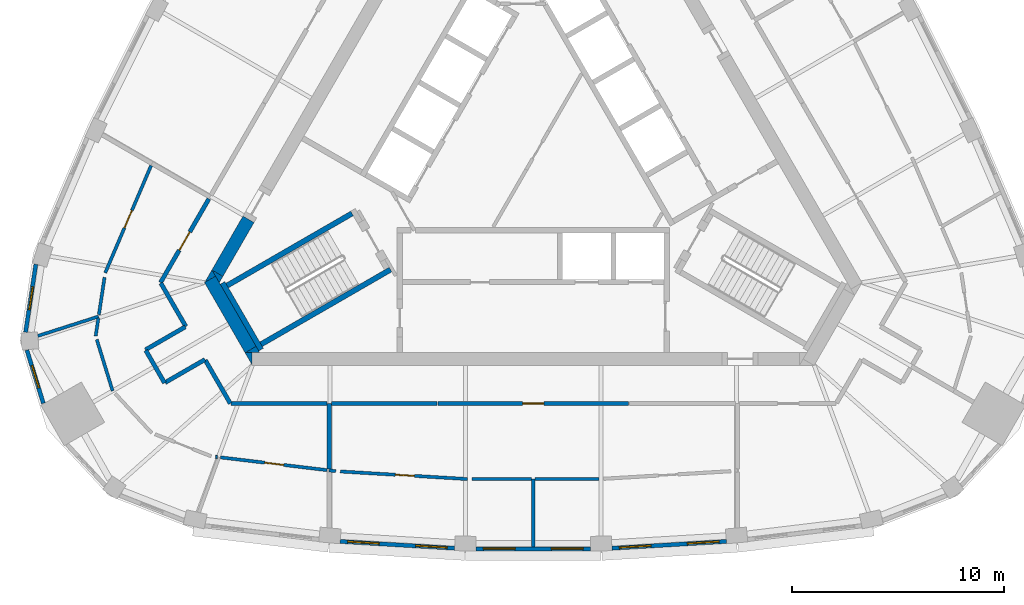
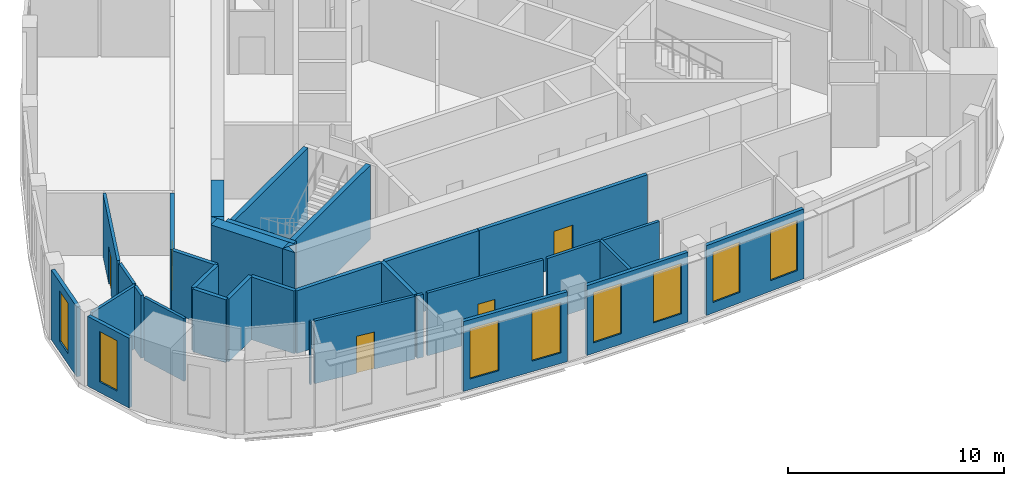
# One storey, part 3 of 10: 36 walls, 8 windows, 5 doors, 13 openings.
"""IFC4 building model written with IfcOpenShell, lengths in metres."""

import ifcopenshell
import ifcopenshell.guid

model = None  # the IFC model being written
_history = None  # IfcOwnerHistory: only IFC2X3 demands one
_inside = {}  # id of a spatial element -> (the spatial element, [elements in it])
_under = {}  # id of a project, library or spatial element -> (it, [spatial elements below it])
_declared = {}  # id of a project -> (the project, [libraries it declares])
_typed = {}  # id of a type object -> (the type object, [elements of that type])
_made_of = {}  # id of a material, layer set ... -> (it, [elements and type objects made of it])


def new_model(schema):
    """Start an empty IFC model of exactly this schema.

    Asked for "IFC4X3", IfcOpenShell would pick the latest addendum, in which some entities
    have other attributes; the version numbers below select the first issue.
    IFC2X3 requires an IfcOwnerHistory on every rooted entity: one is made here for all.
    """
    global model, _history
    if schema == "IFC4X3":
        model = ifcopenshell.file(schema_version=(4, 3, 0, 0))
    else:
        model = ifcopenshell.file(schema=schema)
    _inside.clear()
    _under.clear()
    _declared.clear()
    _typed.clear()
    _made_of.clear()
    _history = None
    if model.schema == "IFC2X3":
        org = make("IfcOrganization", Name="unknown")
        user = make(
            "IfcPersonAndOrganization",
            ThePerson=make("IfcPerson", FamilyName="unknown"),
            TheOrganization=org,
        )
        app = make(
            "IfcApplication",
            ApplicationDeveloper=org,
            Version="unknown",
            ApplicationFullName="unknown",
            ApplicationIdentifier="unknown",
        )
        _history = make(
            "IfcOwnerHistory",
            OwningUser=user,
            OwningApplication=app,
            ChangeAction="ADDED",
            CreationDate=0,
        )
    return model


def make(cls, **values):
    """One entity of the class cls with the attributes given. An attribute that is None is left unset."""
    return model.create_entity(
        cls, **{name: value for name, value in values.items() if value is not None}
    )


def rooted(cls, **values):
    """An entity with a GlobalId (a new one), such as an element, a storey or a relation."""
    return make(cls, GlobalId=ifcopenshell.guid.new(), OwnerHistory=_history, **values)


def si_unit(unit_type, name, prefix=None):
    """IfcSIUnit, for example si_unit("LENGTHUNIT", "METRE", prefix="MILLI")."""
    return make("IfcSIUnit", UnitType=unit_type, Prefix=prefix, Name=name)


def assignment(units):
    """IfcUnitAssignment: the units of a project."""
    return None if units is None else make("IfcUnitAssignment", Units=units)


def point(xyz):
    """IfcCartesianPoint."""
    return None if xyz is None else make("IfcCartesianPoint", Coordinates=xyz)


def direction(xyz):
    """IfcDirection."""
    return None if xyz is None else make("IfcDirection", DirectionRatios=xyz)


def frame(location, z_axis=None, x_axis=None):
    """IfcAxis2Placement3D, a coordinate frame: its origin and axes. An axis left out is left unset."""
    return make(
        "IfcAxis2Placement3D",
        Location=point(location),
        Axis=direction(z_axis),
        RefDirection=direction(x_axis),
    )


def frame_2d(location, x_axis=None):
    """IfcAxis2Placement2D, a coordinate frame in the plane: its origin and x axis."""
    return make(
        "IfcAxis2Placement2D", Location=point(location), RefDirection=direction(x_axis)
    )


def origin():
    """The frame at (0, 0, 0) with its axes left unset."""
    return frame((0.0, 0.0, 0.0))


def place(relative_to, where):
    """IfcLocalPlacement: puts the frame where relative to a parent placement (None: the world)."""
    return make(
        "IfcLocalPlacement", PlacementRelTo=relative_to, RelativePlacement=where
    )


def context(
    kind, dimensions, precision=None, world=None, true_north=None, identifier=None
):
    """IfcGeometricRepresentationContext, for example the 3D "Model" context."""
    return make(
        "IfcGeometricRepresentationContext",
        ContextIdentifier=identifier,
        ContextType=kind,
        CoordinateSpaceDimension=dimensions,
        Precision=precision,
        WorldCoordinateSystem=world,
        TrueNorth=true_north,
    )


def subcontext(parent, identifier, kind, view, scale=None):
    """IfcGeometricRepresentationSubContext, for example "Body" below "Model"."""
    return make(
        "IfcGeometricRepresentationSubContext",
        ContextIdentifier=identifier,
        ContextType=kind,
        ParentContext=parent,
        TargetScale=scale,
        TargetView=view,
    )


def project(units=None, contexts=None):
    """IfcProject with its units and contexts."""
    return rooted(
        "IfcProject",
        Name="project",
        RepresentationContexts=contexts,
        UnitsInContext=assignment(units),
    )


def spatial(cls, under=None, at=None, **own):
    """A site, building, storey or space (cls), placed at a placement, below another one or the project."""
    s = rooted(cls, ObjectPlacement=at, **own)
    if under is not None:
        _under.setdefault(under.id(), (under, []))[1].append(s)
    return s


def polyline(points):
    """IfcPolyline through the points."""
    return make("IfcPolyline", Points=[point(p) for p in points])


def profile(cls, at=None, kind="AREA", **sizes):
    """A parametric profile (cls). Its sizes go by their IFC names, for example OverallWidth=200.0."""
    return make(cls, ProfileType=kind, Position=at, **sizes)


def rectangle(**sizes):
    """IfcRectangleProfileDef."""
    return profile("IfcRectangleProfileDef", **sizes)


def outline(outer, holes=None, kind="AREA"):
    """IfcArbitraryClosedProfileDef: a profile drawn as a closed curve; with holes, ...WithVoids."""
    if holes is None:
        return make("IfcArbitraryClosedProfileDef", ProfileType=kind, OuterCurve=outer)
    return make(
        "IfcArbitraryProfileDefWithVoids",
        ProfileType=kind,
        OuterCurve=outer,
        InnerCurves=holes,
    )


def extrude(swept, where, along, depth):
    """IfcExtrudedAreaSolid: the profile swept, set in the frame where, extruded along a direction by depth."""
    return make(
        "IfcExtrudedAreaSolid",
        SweptArea=swept,
        Position=where,
        ExtrudedDirection=direction(along),
        Depth=depth,
    )


def shape(context_of_items, identifier, shape_type, items):
    """IfcShapeRepresentation: the items that make up one representation, for example the "Body"."""
    return make(
        "IfcShapeRepresentation",
        ContextOfItems=context_of_items,
        RepresentationIdentifier=identifier,
        RepresentationType=shape_type,
        Items=items,
    )


def material(Name=None, Category=None):
    """IfcMaterial."""
    return make("IfcMaterial", Name=Name, Category=Category)


def layer(
    of_material, thickness, ventilated=None, Name=None, Category=None, Priority=None
):
    """IfcMaterialLayer: one layer of a wall or slab, of a material (None: an air gap)."""
    return make(
        "IfcMaterialLayer",
        Material=of_material,
        LayerThickness=thickness,
        IsVentilated=ventilated,
        Name=Name,
        Category=Category,
        Priority=Priority,
    )


def layer_set(layers, Name=None):
    """IfcMaterialLayerSet."""
    return make("IfcMaterialLayerSet", MaterialLayers=layers, LayerSetName=Name)


def made_of(thing, what):
    """Note that an element or type object is made of a material, layer set ...; save() writes the relation."""
    if what is not None:
        _made_of.setdefault(what.id(), (what, []))[1].append(thing)
    return thing


def type_object(cls, material=None, **own):
    """A type object (cls), such as IfcWallType, which elements share."""
    return made_of(rooted(cls, **own), material)


def element(
    cls,
    number,
    at=None,
    inside=None,
    cuts=None,
    type_object=None,
    material=None,
    context=None,
    identifier="Body",
    shape_type=None,
    held_by="IfcProductDefinitionShape",
    body=None,
    shapes=None,
    **own,
):
    """One element of the class cls, such as IfcWall. Its Tag is "e" and its number.

    at: its placement. inside: the storey or other place that contains it. cuts: it is an
    opening in that element (IfcRelVoidsElement). A single representation is given by context,
    identifier, shape_type and body (its items); several are given by shapes. held_by: the class
    of the entity that holds the representations. save() writes the other relations.
    """
    e = rooted(cls, Tag="e%d" % number, ObjectPlacement=at, **own)
    if body is not None:
        shapes = [shape(context, identifier, shape_type, body)]
    if shapes is not None:
        e.Representation = make(held_by, Representations=shapes)
    if inside is not None:
        _inside.setdefault(inside.id(), (inside, []))[1].append(e)
    if cuts is not None:
        rooted(
            "IfcRelVoidsElement", RelatingBuildingElement=cuts, RelatedOpeningElement=e
        )
    if type_object is not None:
        _typed.setdefault(type_object.id(), (type_object, []))[1].append(e)
    return made_of(e, material)


def fill(opening, filler):
    """IfcRelFillsElement: the door or window that sits in an opening."""
    return rooted(
        "IfcRelFillsElement",
        RelatingOpeningElement=opening,
        RelatedBuildingElement=filler,
    )


def aggregate(whole, parts):
    """IfcRelAggregates: a whole, such as a stair, and the parts it consists of."""
    return rooted("IfcRelAggregates", RelatingObject=whole, RelatedObjects=parts)


def save(model, path):
    """Write the relations noted so far, then the file.

    IfcRelAggregates (storeys below a building ...), IfcRelContainedInSpatialStructure (elements
    in a storey), IfcRelDefinesByType, IfcRelAssociatesMaterial and IfcRelDeclares: one each for
    every whole, place, type object, material and project.
    """
    for whole, parts in _under.values():
        aggregate(whole, parts)
    for where, things in _inside.values():
        rooted(
            "IfcRelContainedInSpatialStructure",
            RelatedElements=things,
            RelatingStructure=where,
        )
    for kind, things in _typed.values():
        rooted("IfcRelDefinesByType", RelatedObjects=things, RelatingType=kind)
    for what, things in _made_of.values():
        rooted("IfcRelAssociatesMaterial", RelatedObjects=things, RelatingMaterial=what)
    for by, libraries in _declared.values():
        rooted("IfcRelDeclares", RelatingContext=by, RelatedDefinitions=libraries)
    model.write(path)


model = new_model("IFC4")

# Units and contexts
model_context = context("Model", 3, precision=1e-05, world=origin(), true_north=direction((0.0, 1.0)))
body_context = subcontext(model_context, "Body", "Model", "MODEL_VIEW")
ifc_project = project(units=[si_unit("LENGTHUNIT", "METRE"), si_unit("AREAUNIT", "SQUARE_METRE"), si_unit("VOLUMEUNIT", "CUBIC_METRE"), si_unit("PLANEANGLEUNIT", "RADIAN"), si_unit("MASSUNIT", "GRAM", prefix="KILO")], contexts=[model_context])

# Site, building, storey
site_placement = place(None, origin())
site = spatial("IfcSite", under=ifc_project, at=site_placement, CompositionType="ELEMENT")
building_placement = place(site_placement, origin())
building = spatial("IfcBuilding", under=site, at=building_placement, Name="Mestral Congress Tower", CompositionType="ELEMENT")
storey_placement = place(building_placement, frame((0.0, 0.0, 313.199951171875)))
storey = spatial("IfcBuildingStorey", under=building, at=storey_placement, Name="L73", CompositionType="ELEMENT", Elevation=313.199951171875)

# Walls
ifc_material_1 = material(Name="Concrete C60/75", Category="concrete")
ifc_layer_1 = layer(ifc_material_1, 0.60009765625)
ifc_layer_set_1 = layer_set([ifc_layer_1], Name="Concrete C60/75")
wall_type_1 = type_object("IfcWallType", Name="Core wall RC 600", PredefinedType="SOLIDWALL", material=ifc_layer_set_1)
placement = place(storey_placement, origin())
element("IfcWall", 1, at=placement, inside=storey, type_object=wall_type_1, Name="L73 core wall", PredefinedType="SOLIDWALL", context=body_context, shape_type="SweptSolid", body=[
    extrude(outline(polyline([(-13.5966796875, -9.64990234375), (-13.258544921875, -9.64990234375), (-13.258544921875, -10.235595703125), (-13.5966796875, -9.64990234375)])), origin(), (0.0, 0.0, 1.0), 4.199951171875),
])
wall_2_placement = place(storey_placement, frame((-13.33349609375, -9.505615234375, 0.0), z_axis=(0.0, 0.0, 1.0), x_axis=(-0.500019073792, 0.866014391245, 0.0)))
element("IfcWall", 2, at=wall_2_placement, inside=storey, type_object=wall_type_1, Name="L73 core wall", PredefinedType="SOLIDWALL", context=body_context, shape_type="SweptSolid", body=[
    extrude(rectangle(XDim=3.823486328125, YDim=0.60009765625, at=frame_2d((1.91162109375, 0.0))), origin(), (0.0, 0.0, 1.0), 4.199951171875),
])
element("IfcWall", 3, at=placement, inside=storey, type_object=wall_type_1, Name="L73 core wall", PredefinedType="SOLIDWALL", context=body_context, shape_type="SweptSolid", body=[
    extrude(outline(polyline([(-14.986572265625, -6.042724609375), (-15.493408203125, -6.33544921875), (-15.155517578125, -5.75), (-14.986572265625, -6.042724609375)])), origin(), (0.0, 0.0, 1.0), 4.199951171875),
])
element("IfcWall", 4, at=placement, inside=storey, type_object=wall_type_1, Name="L73 core wall", PredefinedType="SOLIDWALL", context=body_context, shape_type="SweptSolid", body=[
    extrude(outline(polyline([(-12.90380859375, -9.64990234375), (-13.579833984375, -9.64990234375), (-13.07275390625, -9.357421875), (-12.90380859375, -9.64990234375)])), origin(), (0.0, 0.0, 1.0), 4.199951171875),
])
wall_5_placement = place(storey_placement, frame((-13.431640625, -3.3642578125, 0.0), z_axis=(0.0, 0.0, 1.0), x_axis=(-0.499960127962, -0.866048422692, 0.0)))
element("IfcWall", 5, at=wall_5_placement, inside=storey, type_object=wall_type_1, Name="L73 core wall", PredefinedType="SOLIDWALL", context=body_context, shape_type="SweptSolid", body=[
    extrude(rectangle(XDim=2.934326171875, YDim=0.60009765625, at=frame_2d((1.46728515625, 0.0))), origin(), (0.0, 0.0, 1.0), 4.199951171875),
])
element("IfcWall", 6, at=placement, inside=storey, type_object=wall_type_1, Name="L73 core wall", PredefinedType="SOLIDWALL", context=body_context, shape_type="SweptSolid", body=[
    extrude(outline(polyline([(-14.80908203125, -6.35009765625), (-15.147216796875, -5.764404296875), (-14.639892578125, -6.057373046875), (-14.80908203125, -6.35009765625)])), origin(), (0.0, 0.0, 1.0), 4.199951171875),
])

# Wall, openings, windows
ifc_material_2 = material(Name="Precast concrete C40/50 with limestone facing", Category="masonry")
ifc_layer_2 = layer(ifc_material_2, 0.18994140625)
ifc_layer_set_2 = layer_set([ifc_layer_2], Name="Precast concrete C40/50 with limestone facing")
wall_type_2 = type_object("IfcWallType", Name="Facade stone wall 190", PredefinedType="SOLIDWALL", material=ifc_layer_set_2)
wall_7_placement = place(storey_placement, frame((-9.106689453125, -18.557861328125, 0.0), z_axis=(0.0, 0.0, 1.0), x_axis=(0.998221492823, -0.059614186786, 0.0)))
wall_7 = element("IfcWall", 7, at=wall_7_placement, inside=storey, type_object=wall_type_2, Name="Facade wall F0-01", PredefinedType="SOLIDWALL", context=body_context, shape_type="SweptSolid", body=[
    extrude(rectangle(XDim=5.40576171875, YDim=0.18994140625, at=frame_2d((2.702880859375, 0.0))), origin(), (0.0, 0.0, 1.0), 3.949951171875),
])
opening_1_placement = place(wall_7_placement, frame((0.346435546875, 0.0, 0.60009765625)))
opening_1 = element("IfcOpeningElement", 8, at=opening_1_placement, cuts=wall_7, Name="Opening W6", PredefinedType="OPENING", context=body_context, shape_type="SweptSolid", body=[
    extrude(rectangle(XDim=1.5, YDim=2.85009765625, at=frame_2d((0.75, 1.425048828125))), frame((0.0, 0.10498046875, 0.0), z_axis=(0.0, -1.0, 0.0), x_axis=(1.0, 0.0, 0.0)), (0.0, 0.0, 1.0), 0.2099609375),
])
opening_2_placement = place(wall_7_placement, frame((3.559326171875, 0.0, 0.60009765625)))
opening_2 = element("IfcOpeningElement", 9, at=opening_2_placement, cuts=wall_7, Name="Opening W6", PredefinedType="OPENING", context=body_context, shape_type="SweptSolid", body=[
    extrude(rectangle(XDim=1.5, YDim=2.85009765625, at=frame_2d((0.75, 1.425048828125))), frame((0.0, 0.10498046875, 0.0), z_axis=(0.0, -1.0, 0.0), x_axis=(1.0, 0.0, 0.0)), (0.0, 0.0, 1.0), 0.2099609375),
])
ifc_material_3 = material(Name="Clear low-emissivity double glazing", Category="glass")
window_type_1 = type_object("IfcWindowType", Name="Facade punched window 1500 x 2850 sill 600", PartitioningType="SINGLE_PANEL", PredefinedType="WINDOW", material=ifc_material_3)
window_1_placement = place(opening_1_placement, origin())
window_1 = element("IfcWindow", 10, at=window_1_placement, inside=storey, type_object=window_type_1, Name="Window F0-01a", OverallHeight=2.85009765625, OverallWidth=1.5, PartitioningType="SINGLE_PANEL", PredefinedType="WINDOW", context=body_context, shape_type="SweptSolid", body=[
    extrude(rectangle(XDim=1.5, YDim=2.85009765625, at=frame_2d((0.75, 1.425048828125))), frame((0.0, 0.044921875, 0.0), z_axis=(0.0, -1.0, 0.0), x_axis=(1.0, 0.0, 0.0)), (0.0, 0.0, 1.0), 0.06005859375),
])
fill(opening_1, window_1)
window_2_placement = place(opening_2_placement, origin())
window_2 = element("IfcWindow", 11, at=window_2_placement, inside=storey, type_object=window_type_1, Name="Window F0-01b", OverallHeight=2.85009765625, OverallWidth=1.5, PartitioningType="SINGLE_PANEL", PredefinedType="WINDOW", context=body_context, shape_type="SweptSolid", body=[
    extrude(rectangle(XDim=1.5, YDim=2.85009765625, at=frame_2d((0.75, 1.425048828125))), frame((0.0, 0.044921875, 0.0), z_axis=(0.0, -1.0, 0.0), x_axis=(1.0, 0.0, 0.0)), (0.0, 0.0, 1.0), 0.06005859375),
])
fill(opening_2, window_2)

wall_8_placement = place(storey_placement, frame((-2.702880859375, -18.91015625, 0.0), z_axis=(0.0, 0.0, 1.0), x_axis=(1.0, 0.0, 0.0)))
wall_8 = element("IfcWall", 12, at=wall_8_placement, inside=storey, type_object=wall_type_2, Name="Facade wall F0-02", PredefinedType="SOLIDWALL", context=body_context, shape_type="SweptSolid", body=[
    extrude(rectangle(XDim=5.40576171875, YDim=0.18994140625, at=frame_2d((2.702880859375, 0.0))), origin(), (0.0, 0.0, 1.0), 3.949951171875),
])
opening_3_placement = place(wall_8_placement, frame((0.346435546875, 0.0, 0.60009765625)))
opening_3 = element("IfcOpeningElement", 13, at=opening_3_placement, cuts=wall_8, Name="Opening W6", PredefinedType="OPENING", context=body_context, shape_type="SweptSolid", body=[
    extrude(rectangle(XDim=1.5, YDim=2.85009765625, at=frame_2d((0.75, 1.425048828125))), frame((0.0, 0.10498046875, 0.0), z_axis=(0.0, -1.0, 0.0), x_axis=(1.0, 0.0, 0.0)), (0.0, 0.0, 1.0), 0.2099609375),
])
opening_4_placement = place(wall_8_placement, frame((3.5595703125, 0.0, 0.60009765625)))
opening_4 = element("IfcOpeningElement", 14, at=opening_4_placement, cuts=wall_8, Name="Opening W6", PredefinedType="OPENING", context=body_context, shape_type="SweptSolid", body=[
    extrude(rectangle(XDim=1.5, YDim=2.85009765625, at=frame_2d((0.75, 1.425048828125))), frame((0.0, 0.10498046875, 0.0), z_axis=(0.0, -1.0, 0.0), x_axis=(1.0, 0.0, 0.0)), (0.0, 0.0, 1.0), 0.2099609375),
])
window_3_placement = place(opening_3_placement, origin())
window_3 = element("IfcWindow", 15, at=window_3_placement, inside=storey, type_object=window_type_1, Name="Window F0-02a", OverallHeight=2.85009765625, OverallWidth=1.5, PartitioningType="SINGLE_PANEL", PredefinedType="WINDOW", context=body_context, shape_type="SweptSolid", body=[
    extrude(rectangle(XDim=1.5, YDim=2.85009765625, at=frame_2d((0.75, 1.425048828125))), frame((0.0, 0.044921875, 0.0), z_axis=(0.0, -1.0, 0.0), x_axis=(1.0, 0.0, 0.0)), (0.0, 0.0, 1.0), 0.06005859375),
])
fill(opening_3, window_3)
window_4_placement = place(opening_4_placement, origin())
window_4 = element("IfcWindow", 16, at=window_4_placement, inside=storey, type_object=window_type_1, Name="Window F0-02b", OverallHeight=2.85009765625, OverallWidth=1.5, PartitioningType="SINGLE_PANEL", PredefinedType="WINDOW", context=body_context, shape_type="SweptSolid", body=[
    extrude(rectangle(XDim=1.5, YDim=2.85009765625, at=frame_2d((0.75, 1.425048828125))), frame((0.0, 0.044921875, 0.0), z_axis=(0.0, -1.0, 0.0), x_axis=(1.0, 0.0, 0.0)), (0.0, 0.0, 1.0), 0.06005859375),
])
fill(opening_4, window_4)

wall_9_placement = place(storey_placement, frame((3.71044921875, -18.880126953125, 0.0), z_axis=(0.0, 0.0, 1.0), x_axis=(0.998221492823, 0.059614186786, 0.0)))
wall_9 = element("IfcWall", 17, at=wall_9_placement, inside=storey, type_object=wall_type_2, Name="Facade wall F0-03", PredefinedType="SOLIDWALL", context=body_context, shape_type="SweptSolid", body=[
    extrude(rectangle(XDim=5.40576171875, YDim=0.18994140625, at=frame_2d((2.702880859375, 0.0))), origin(), (0.0, 0.0, 1.0), 3.949951171875),
])
opening_5_placement = place(wall_9_placement, frame((0.346435546875, 0.0, 0.60009765625)))
opening_5 = element("IfcOpeningElement", 18, at=opening_5_placement, cuts=wall_9, Name="Opening W6", PredefinedType="OPENING", context=body_context, shape_type="SweptSolid", body=[
    extrude(rectangle(XDim=1.5, YDim=2.85009765625, at=frame_2d((0.75, 1.425048828125))), frame((0.0, 0.10498046875, 0.0), z_axis=(0.0, -1.0, 0.0), x_axis=(1.0, 0.0, 0.0)), (0.0, 0.0, 1.0), 0.2099609375),
])
opening_6_placement = place(wall_9_placement, frame((3.559326171875, 0.0, 0.60009765625)))
opening_6 = element("IfcOpeningElement", 19, at=opening_6_placement, cuts=wall_9, Name="Opening W6", PredefinedType="OPENING", context=body_context, shape_type="SweptSolid", body=[
    extrude(rectangle(XDim=1.5, YDim=2.85009765625, at=frame_2d((0.75, 1.425048828125))), frame((0.0, 0.10498046875, 0.0), z_axis=(0.0, -1.0, 0.0), x_axis=(1.0, 0.0, 0.0)), (0.0, 0.0, 1.0), 0.2099609375),
])
window_5_placement = place(opening_5_placement, origin())
window_5 = element("IfcWindow", 20, at=window_5_placement, inside=storey, type_object=window_type_1, Name="Window F0-03a", OverallHeight=2.85009765625, OverallWidth=1.5, PartitioningType="SINGLE_PANEL", PredefinedType="WINDOW", context=body_context, shape_type="SweptSolid", body=[
    extrude(rectangle(XDim=1.5, YDim=2.85009765625, at=frame_2d((0.75, 1.425048828125))), frame((0.0, 0.044921875, 0.0), z_axis=(0.0, -1.0, 0.0), x_axis=(1.0, 0.0, 0.0)), (0.0, 0.0, 1.0), 0.06005859375),
])
fill(opening_5, window_5)
window_6_placement = place(opening_6_placement, origin())
window_6 = element("IfcWindow", 21, at=window_6_placement, inside=storey, type_object=window_type_1, Name="Window F0-03b", OverallHeight=2.85009765625, OverallWidth=1.5, PartitioningType="SINGLE_PANEL", PredefinedType="WINDOW", context=body_context, shape_type="SweptSolid", body=[
    extrude(rectangle(XDim=1.5, YDim=2.85009765625, at=frame_2d((0.75, 1.425048828125))), frame((0.0, 0.044921875, 0.0), z_axis=(0.0, -1.0, 0.0), x_axis=(1.0, 0.0, 0.0)), (0.0, 0.0, 1.0), 0.06005859375),
])
fill(opening_6, window_6)

# Wall, opening, window
wall_10_placement = place(storey_placement, frame((-23.460205078125, -5.488037109375, 0.0), z_axis=(0.0, 0.0, 1.0), x_axis=(-0.149421055602, -0.988773658702, 0.0)))
wall_10 = element("IfcWall", 22, at=wall_10_placement, inside=storey, type_object=wall_type_2, Name="Facade wall K2-0", PredefinedType="SOLIDWALL", context=body_context, shape_type="SweptSolid", body=[
    extrude(rectangle(XDim=3.23681640625, YDim=0.18994140625, at=frame_2d((1.618408203125, 0.0))), origin(), (0.0, 0.0, 1.0), 3.949951171875),
])
opening_7_placement = place(wall_10_placement, frame((1.068359375, 0.0, 0.60009765625)))
opening_7 = element("IfcOpeningElement", 23, at=opening_7_placement, cuts=wall_10, Name="Opening W7", PredefinedType="OPENING", context=body_context, shape_type="SweptSolid", body=[
    extrude(rectangle(XDim=1.10009765625, YDim=2.85009765625, at=frame_2d((0.550048828125, 1.425048828125))), frame((0.0, 0.10498046875, 0.0), z_axis=(0.0, -1.0, 0.0), x_axis=(1.0, 0.0, 0.0)), (0.0, 0.0, 1.0), 0.2099609375),
])
window_type_2 = type_object("IfcWindowType", Name="Facade punched window 1100 x 2850 sill 600", PartitioningType="SINGLE_PANEL", PredefinedType="WINDOW", material=ifc_material_3)
window_7_placement = place(opening_7_placement, origin())
window_7 = element("IfcWindow", 24, at=window_7_placement, inside=storey, type_object=window_type_2, Name="Window K2-0", OverallHeight=2.85009765625, OverallWidth=1.10009765625, PartitioningType="SINGLE_PANEL", PredefinedType="WINDOW", context=body_context, shape_type="SweptSolid", body=[
    extrude(rectangle(XDim=1.10009765625, YDim=2.85009765625, at=frame_2d((0.550048828125, 1.425048828125))), frame((0.0, 0.044921875, 0.0), z_axis=(0.0, -1.0, 0.0), x_axis=(1.0, 0.0, 0.0)), (0.0, 0.0, 1.0), 0.06005859375),
])
fill(opening_7, window_7)

wall_11_placement = place(storey_placement, frame((-23.880615234375, -9.53515625, 0.0), z_axis=(0.0, 0.0, 1.0), x_axis=(0.294706210429, -0.9555879078, 0.0)))
wall_11 = element("IfcWall", 25, at=wall_11_placement, inside=storey, type_object=wall_type_2, Name="Facade wall K2-1", PredefinedType="SOLIDWALL", context=body_context, shape_type="SweptSolid", body=[
    extrude(rectangle(XDim=2.626953125, YDim=0.18994140625, at=frame_2d((1.3134765625, 0.0))), origin(), (0.0, 0.0, 1.0), 3.949951171875),
])
opening_8_placement = place(wall_11_placement, frame((0.763427734375, 0.0, 0.60009765625)))
opening_8 = element("IfcOpeningElement", 26, at=opening_8_placement, cuts=wall_11, Name="Opening W7", PredefinedType="OPENING", context=body_context, shape_type="SweptSolid", body=[
    extrude(rectangle(XDim=1.10009765625, YDim=2.85009765625, at=frame_2d((0.550048828125, 1.425048828125))), frame((0.0, 0.10498046875, 0.0), z_axis=(0.0, -1.0, 0.0), x_axis=(1.0, 0.0, 0.0)), (0.0, 0.0, 1.0), 0.2099609375),
])
window_8_placement = place(opening_8_placement, origin())
window_8 = element("IfcWindow", 27, at=window_8_placement, inside=storey, type_object=window_type_2, Name="Window K2-1", OverallHeight=2.85009765625, OverallWidth=1.10009765625, PartitioningType="SINGLE_PANEL", PredefinedType="WINDOW", context=body_context, shape_type="SweptSolid", body=[
    extrude(rectangle(XDim=1.10009765625, YDim=2.85009765625, at=frame_2d((0.550048828125, 1.425048828125))), frame((0.0, 0.044921875, 0.0), z_axis=(0.0, -1.0, 0.0), x_axis=(1.0, 0.0, 0.0)), (0.0, 0.0, 1.0), 0.06005859375),
])
fill(opening_8, window_8)

# Walls
ifc_material_4 = material(Name="Plasterboard partition on steel studs", Category="steel")
ifc_layer_3 = layer(ifc_material_4, 0.14990234375)
ifc_layer_set_3 = layer_set([ifc_layer_3], Name="Plasterboard partition on steel studs")
wall_type_3 = type_object("IfcWallType", Name="Office partition 150", PredefinedType="PARTITIONING", material=ifc_layer_set_3)
wall_12_placement = place(storey_placement, frame((0.0, -15.615234375, 0.0), z_axis=(0.0, 0.0, 1.0), x_axis=(0.0, -1.0, 0.0)))
element("IfcWall", 28, at=wall_12_placement, inside=storey, type_object=wall_type_3, Name="Partition", PredefinedType="PARTITIONING", context=body_context, shape_type="SweptSolid", body=[
    extrude(rectangle(XDim=3.199951171875, YDim=0.14990234375, at=frame_2d((1.60009765625, 0.0))), origin(), (0.0, 0.0, 1.0), 3.550048828125),
])
wall_13_placement = place(storey_placement, frame((-9.62744140625, -15.20703125, 0.0), z_axis=(0.0, 0.0, 1.0), x_axis=(0.992909886905, -0.118869493503, 0.0)))
element("IfcWall", 29, at=wall_13_placement, inside=storey, type_object=wall_type_3, Name="Partition", PredefinedType="PARTITIONING", context=body_context, shape_type="SweptSolid", body=[
    extrude(rectangle(XDim=0.314208984375, YDim=0.14990234375, at=frame_2d((0.1572265625, 0.0))), origin(), (0.0, 0.0, 1.0), 3.550048828125),
])

# Wall, opening, door
wall_14_placement = place(storey_placement, frame((-3.10888671875, -15.615234375, 0.0), z_axis=(0.0, 0.0, 1.0), x_axis=(-0.998221243398, 0.059618363188, 0.0)))
wall_14 = element("IfcWall", 30, at=wall_14_placement, inside=storey, type_object=wall_type_3, Name="Partition", PredefinedType="PARTITIONING", context=body_context, shape_type="SweptSolid", body=[
    extrude(rectangle(XDim=6.00341796875, YDim=0.14990234375, at=frame_2d((3.001708984375, 0.0))), origin(), (0.0, 0.0, 1.0), 3.550048828125),
])
opening_9_placement = place(wall_14_placement, frame((2.50341796875, 0.0, 0.0)))
opening_9 = element("IfcOpeningElement", 31, at=opening_9_placement, cuts=wall_14, Name="Opening O14-001", PredefinedType="OPENING", context=body_context, shape_type="SweptSolid", body=[
    extrude(rectangle(XDim=0.89990234375, YDim=2.10009765625, at=frame_2d((0.449951171875, 1.050048828125))), frame((0.0, 0.0849609375, 0.0), z_axis=(0.0, -1.0, 0.0), x_axis=(1.0, 0.0, 0.0)), (0.0, 0.0, 1.0), 0.169921875),
])
ifc_material_5 = material(Name="Timber door set", Category="wood")
door_type_1 = type_object("IfcDoorType", Name="Office door 900x2100", OperationType="SINGLE_SWING_LEFT", PredefinedType="DOOR", material=ifc_material_5)
door_1_placement = place(opening_9_placement, origin())
door_1 = element("IfcDoor", 32, at=door_1_placement, inside=storey, type_object=door_type_1, Name="Door O14-001", OperationType="SINGLE_SWING_LEFT", OverallHeight=2.10009765625, OverallWidth=0.89990234375, PredefinedType="DOOR", context=body_context, shape_type="SweptSolid", body=[
    extrude(rectangle(XDim=0.89990234375, YDim=2.10009765625, at=frame_2d((0.449951171875, 1.050048828125))), frame((0.0, 0.02490234375, 0.0), z_axis=(0.0, -1.0, 0.0), x_axis=(1.0, 0.0, 0.0)), (0.0, 0.0, 1.0), 0.050048828125),
])
fill(opening_9, door_1)

# Walls
wall_15_placement = place(storey_placement, frame((-2.89453125, -15.615234375, 0.0), z_axis=(0.0, 0.0, 1.0), x_axis=(1.0, 0.0, 0.0)))
element("IfcWall", 33, at=wall_15_placement, inside=storey, type_object=wall_type_3, Name="Partition", PredefinedType="PARTITIONING", context=body_context, shape_type="SweptSolid", body=[
    extrude(rectangle(XDim=2.819580078125, YDim=0.14990234375, at=frame_2d((1.40966796875, 0.0))), origin(), (0.0, 0.0, 1.0), 3.550048828125),
])
wall_16_placement = place(storey_placement, frame((0.074951171875, -15.615234375, 0.0), z_axis=(0.0, 0.0, 1.0), x_axis=(1.0, 0.0, 0.0)))
element("IfcWall", 34, at=wall_16_placement, inside=storey, type_object=wall_type_3, Name="Partition", PredefinedType="PARTITIONING", context=body_context, shape_type="SweptSolid", body=[
    extrude(rectangle(XDim=3.033935546875, YDim=0.14990234375, at=frame_2d((1.51708984375, 0.0))), origin(), (0.0, 0.0, 1.0), 3.550048828125),
])
wall_17_placement = place(storey_placement, frame((-20.49951171875, -7.947998046875, 0.0), z_axis=(0.0, 0.0, 1.0), x_axis=(-0.952499513035, -0.304540108471, 0.0)))
element("IfcWall", 35, at=wall_17_placement, inside=storey, type_object=wall_type_3, Name="Partition", PredefinedType="PARTITIONING", context=body_context, shape_type="SweptSolid", body=[
    extrude(rectangle(XDim=3.0078125, YDim=0.14990234375, at=frame_2d((1.50390625, 0.0))), origin(), (0.0, 0.0, 1.0), 3.550048828125),
])

# Wall, opening, door
wall_18_placement = place(storey_placement, frame((-20.188232421875, -5.8876953125, 0.0), z_axis=(0.0, 0.0, 1.0), x_axis=(0.393346486154, 0.919390309841, 0.0)))
wall_18 = element("IfcWall", 36, at=wall_18_placement, inside=storey, type_object=wall_type_3, Name="Partition", PredefinedType="PARTITIONING", context=body_context, shape_type="SweptSolid", body=[
    extrude(rectangle(XDim=5.5048828125, YDim=0.14990234375, at=frame_2d((2.75244140625, 0.0))), origin(), (0.0, 0.0, 1.0), 3.550048828125),
])
opening_10_placement = place(wall_18_placement, frame((2.3046875, 0.0, 0.0)))
opening_10 = element("IfcOpeningElement", 37, at=opening_10_placement, cuts=wall_18, Name="Opening O14-015", PredefinedType="OPENING", context=body_context, shape_type="SweptSolid", body=[
    extrude(rectangle(XDim=0.89990234375, YDim=2.10009765625, at=frame_2d((0.449951171875, 1.050048828125))), frame((0.0, 0.0849609375, 0.0), z_axis=(0.0, -1.0, 0.0), x_axis=(1.0, 0.0, 0.0)), (0.0, 0.0, 1.0), 0.169921875),
])
door_2_placement = place(opening_10_placement, origin())
door_2 = element("IfcDoor", 38, at=door_2_placement, inside=storey, type_object=door_type_1, Name="Door O14-015", OperationType="SINGLE_SWING_RIGHT", OverallHeight=2.10009765625, OverallWidth=0.89990234375, PredefinedType="DOOR", context=body_context, shape_type="SweptSolid", body=[
    extrude(rectangle(XDim=0.89990234375, YDim=2.10009765625, at=frame_2d((0.449951171875, 1.050048828125))), frame((0.0, 0.02490234375, 0.0), z_axis=(0.0, -1.0, 0.0), x_axis=(1.0, 0.0, 0.0)), (0.0, 0.0, 1.0), 0.050048828125),
])
fill(opening_10, door_2)

# Walls
wall_19_placement = place(storey_placement, frame((-20.22021484375, -6.099365234375, 0.0), z_axis=(0.0, 0.0, 1.0), x_axis=(-0.14941661042, -0.988774330437, 0.0)))
element("IfcWall", 39, at=wall_19_placement, inside=storey, type_object=wall_type_3, Name="Partition", PredefinedType="PARTITIONING", context=body_context, shape_type="SweptSolid", body=[
    extrude(rectangle(XDim=1.785888671875, YDim=0.14990234375, at=frame_2d((0.89306640625, 0.0))), origin(), (0.0, 0.0, 1.0), 3.550048828125),
])
wall_20_placement = place(storey_placement, frame((-20.511962890625, -8.03076171875, 0.0), z_axis=(0.0, 0.0, 1.0), x_axis=(-0.149497595499, -0.98876208915, 0.0)))
element("IfcWall", 40, at=wall_20_placement, inside=storey, type_object=wall_type_3, Name="Partition", PredefinedType="PARTITIONING", context=body_context, shape_type="SweptSolid", body=[
    extrude(rectangle(XDim=0.845947265625, YDim=0.14990234375, at=frame_2d((0.4228515625, 0.0))), origin(), (0.0, 0.0, 1.0), 3.550048828125),
])
wall_21_placement = place(storey_placement, frame((-20.58740234375, -9.0322265625, 0.0), z_axis=(0.0, 0.0, 1.0), x_axis=(0.294593354479, -0.95562270562, 0.0)))
element("IfcWall", 41, at=wall_21_placement, inside=storey, type_object=wall_type_3, Name="Partition", PredefinedType="PARTITIONING", context=body_context, shape_type="SweptSolid", body=[
    extrude(rectangle(XDim=2.53515625, YDim=0.14990234375, at=frame_2d((1.267578125, 0.0))), origin(), (0.0, 0.0, 1.0), 3.550048828125),
])
wall_22_placement = place(storey_placement, frame((-14.97998046875, -14.565185546875, 0.0), z_axis=(0.0, 0.0, 1.0), x_axis=(0.992847073299, -0.119393002485, 0.0)))
element("IfcWall", 42, at=wall_22_placement, inside=storey, type_object=wall_type_3, Name="Partition", PredefinedType="PARTITIONING", context=body_context, shape_type="SweptSolid", body=[
    extrude(rectangle(XDim=0.07763671875, YDim=0.14990234375, at=frame_2d((0.038818359375, 0.0))), origin(), (0.0, 0.0, 1.0), 3.550048828125),
])

# Wall, opening, door
wall_23_placement = place(storey_placement, frame((-9.727294921875, -15.195068359375, 0.0), z_axis=(0.0, 0.0, 1.0), x_axis=(-0.992892587246, 0.119013907556, 0.0)))
wall_23 = element("IfcWall", 43, at=wall_23_placement, inside=storey, type_object=wall_type_3, Name="Partition", PredefinedType="PARTITIONING", context=body_context, shape_type="SweptSolid", body=[
    extrude(rectangle(XDim=5.05859375, YDim=0.14990234375, at=frame_2d((2.529296875, 0.0))), origin(), (0.0, 0.0, 1.0), 3.550048828125),
])
opening_11_placement = place(wall_23_placement, frame((2.05859375, 0.0, 0.0)))
opening_11 = element("IfcOpeningElement", 44, at=opening_11_placement, cuts=wall_23, Name="Opening O14-017", PredefinedType="OPENING", context=body_context, shape_type="SweptSolid", body=[
    extrude(rectangle(XDim=0.89990234375, YDim=2.10009765625, at=frame_2d((0.449951171875, 1.050048828125))), frame((0.0, 0.0849609375, 0.0), z_axis=(0.0, -1.0, 0.0), x_axis=(1.0, 0.0, 0.0)), (0.0, 0.0, 1.0), 0.169921875),
])
door_3_placement = place(opening_11_placement, origin())
door_3 = element("IfcDoor", 45, at=door_3_placement, inside=storey, type_object=door_type_1, Name="Door O14-017", OperationType="SINGLE_SWING_LEFT", OverallHeight=2.10009765625, OverallWidth=0.89990234375, PredefinedType="DOOR", context=body_context, shape_type="SweptSolid", body=[
    extrude(rectangle(XDim=0.89990234375, YDim=2.10009765625, at=frame_2d((0.449951171875, 1.050048828125))), frame((0.0, 0.02490234375, 0.0), z_axis=(0.0, -1.0, 0.0), x_axis=(1.0, 0.0, 0.0)), (0.0, 0.0, 1.0), 0.050048828125),
])
fill(opening_11, door_3)

# Wall
ifc_material_6 = material(Name="Dense masonry wall, plastered", Category="masonry")
ifc_layer_4 = layer(ifc_material_6, 0.199951171875)
ifc_layer_set_4 = layer_set([ifc_layer_4], Name="Dense masonry wall, plastered")
wall_type_4 = type_object("IfcWallType", Name="Office tenancy wall 200", PredefinedType="PARTITIONING", material=ifc_layer_set_4)
wall_24_placement = place(storey_placement, frame((-9.62744140625, -15.131591796875, 0.0), z_axis=(0.0, 0.0, 1.0), x_axis=(0.0, 1.0, 0.0)))
element("IfcWall", 46, at=wall_24_placement, inside=storey, type_object=wall_type_4, Name="Tenancy wall", PredefinedType="PARTITIONING", context=body_context, shape_type="SweptSolid", body=[
    extrude(rectangle(XDim=3.08154296875, YDim=0.199951171875, at=frame_2d((1.540771484375, 0.0))), origin(), (0.0, 0.0, 1.0), 3.550048828125),
])

# Wall, opening, door
wall_25_placement = place(storey_placement, frame((-4.5, -12.050048828125, 0.0), z_axis=(0.0, 0.0, 1.0), x_axis=(1.0, 0.0, 0.0)))
wall_25 = element("IfcWall", 47, at=wall_25_placement, inside=storey, type_object=wall_type_4, Name="Tenancy wall", PredefinedType="PARTITIONING", context=body_context, shape_type="SweptSolid", body=[
    extrude(rectangle(XDim=9.0, YDim=0.199951171875, at=frame_2d((4.5, 0.0))), origin(), (0.0, 0.0, 1.0), 3.550048828125),
])
opening_12_placement = place(wall_25_placement, frame((4.0, 0.0, 0.0)))
opening_12 = element("IfcOpeningElement", 48, at=opening_12_placement, cuts=wall_25, Name="Opening O14-003", PredefinedType="OPENING", context=body_context, shape_type="SweptSolid", body=[
    extrude(rectangle(XDim=1.0, YDim=2.10009765625, at=frame_2d((0.5, 1.050048828125))), frame((0.0, 0.10986328125, 0.0), z_axis=(0.0, -1.0, 0.0), x_axis=(1.0, 0.0, 0.0)), (0.0, 0.0, 1.0), 0.219970703125),
])
ifc_material_7 = material(Name="Fire-rated timber door set", Category="wood")
door_type_2 = type_object("IfcDoorType", Name="Office tenancy entrance door 1000x2100", OperationType="SINGLE_SWING_LEFT", PredefinedType="DOOR", material=ifc_material_7)
door_4_placement = place(opening_12_placement, origin())
door_4 = element("IfcDoor", 49, at=door_4_placement, inside=storey, type_object=door_type_2, Name="Door O14-003", OperationType="SINGLE_SWING_RIGHT", OverallHeight=2.10009765625, OverallWidth=1.0, PredefinedType="DOOR", context=body_context, shape_type="SweptSolid", body=[
    extrude(rectangle(XDim=1.0, YDim=2.10009765625, at=frame_2d((0.5, 1.050048828125))), frame((0.0, 0.02490234375, 0.0), z_axis=(0.0, -1.0, 0.0), x_axis=(1.0, 0.0, 0.0)), (0.0, 0.0, 1.0), 0.050048828125),
])
fill(opening_12, door_4)

# Wall
wall_26_placement = place(storey_placement, frame((-9.52734375, -12.050048828125, 0.0), z_axis=(0.0, 0.0, 1.0), x_axis=(1.0, 0.0, 0.0)))
element("IfcWall", 50, at=wall_26_placement, inside=storey, type_object=wall_type_4, Name="Tenancy wall", PredefinedType="PARTITIONING", context=body_context, shape_type="SweptSolid", body=[
    extrude(rectangle(XDim=4.997314453125, YDim=0.199951171875, at=frame_2d((2.49853515625, 0.0))), origin(), (0.0, 0.0, 1.0), 3.550048828125),
])

# Wall, opening, door
wall_27_placement = place(storey_placement, frame((-15.29931640625, -2.399169921875, 0.0), z_axis=(0.0, 0.0, 1.0), x_axis=(-0.49998958839, -0.866031414847, 0.0)))
wall_27 = element("IfcWall", 51, at=wall_27_placement, inside=storey, type_object=wall_type_4, Name="Tenancy wall", PredefinedType="PARTITIONING", context=body_context, shape_type="SweptSolid", body=[
    extrude(rectangle(XDim=4.56201171875, YDim=0.199951171875, at=frame_2d((2.281005859375, 0.0))), origin(), (0.0, 0.0, 1.0), 3.550048828125),
])
opening_13_placement = place(wall_27_placement, frame((1.800048828125, 0.0, 0.0)))
opening_13 = element("IfcOpeningElement", 52, at=opening_13_placement, cuts=wall_27, Name="Opening O14-018", PredefinedType="OPENING", context=body_context, shape_type="SweptSolid", body=[
    extrude(rectangle(XDim=1.0, YDim=2.10009765625, at=frame_2d((0.5, 1.050048828125))), frame((0.0, 0.10986328125, 0.0), z_axis=(0.0, -1.0, 0.0), x_axis=(1.0, 0.0, 0.0)), (0.0, 0.0, 1.0), 0.219970703125),
])
door_5_placement = place(opening_13_placement, origin())
door_5 = element("IfcDoor", 53, at=door_5_placement, inside=storey, type_object=door_type_2, Name="Door O14-018", OperationType="SINGLE_SWING_RIGHT", OverallHeight=2.10009765625, OverallWidth=1.0, PredefinedType="DOOR", context=body_context, shape_type="SweptSolid", body=[
    extrude(rectangle(XDim=1.0, YDim=2.10009765625, at=frame_2d((0.5, 1.050048828125))), frame((0.0, 0.02490234375, 0.0), z_axis=(0.0, -1.0, 0.0), x_axis=(1.0, 0.0, 0.0)), (0.0, 0.0, 1.0), 0.050048828125),
])
fill(opening_13, door_5)

# Walls
wall_28_placement = place(storey_placement, frame((-17.565185546875, -6.3759765625, 0.0), z_axis=(0.0, 0.0, 1.0), x_axis=(0.499898509274, -0.866083991554, 0.0)))
element("IfcWall", 54, at=wall_28_placement, inside=storey, type_object=wall_type_4, Name="Tenancy wall", PredefinedType="PARTITIONING", context=body_context, shape_type="SweptSolid", body=[
    extrude(rectangle(XDim=2.36083984375, YDim=0.199951171875, at=frame_2d((1.180419921875, 0.0))), origin(), (0.0, 0.0, 1.0), 3.550048828125),
])
wall_29_placement = place(storey_placement, frame((-16.410888671875, -8.435546875, 0.0), z_axis=(0.0, 0.0, 1.0), x_axis=(-0.866018827591, -0.500011390128, 0.0)))
element("IfcWall", 55, at=wall_29_placement, inside=storey, type_object=wall_type_4, Name="Tenancy wall", PredefinedType="PARTITIONING", context=body_context, shape_type="SweptSolid", body=[
    extrude(rectangle(XDim=2.169921875, YDim=0.199951171875, at=frame_2d((1.0849609375, 0.0))), origin(), (0.0, 0.0, 1.0), 3.550048828125),
])
wall_30_placement = place(storey_placement, frame((-18.275146484375, -9.546630859375, 0.0), z_axis=(0.0, 0.0, 1.0), x_axis=(0.500040865889, -0.866001808567, 0.0)))
element("IfcWall", 56, at=wall_30_placement, inside=storey, type_object=wall_type_4, Name="Tenancy wall", PredefinedType="PARTITIONING", context=body_context, shape_type="SweptSolid", body=[
    extrude(rectangle(XDim=1.769775390625, YDim=0.199951171875, at=frame_2d((0.884765625, 0.0))), origin(), (0.0, 0.0, 1.0), 3.550048828125),
])
wall_31_placement = place(storey_placement, frame((-17.364013671875, -11.064453125, 0.0), z_axis=(0.0, 0.0, 1.0), x_axis=(0.866018827591, 0.500011390128, 0.0)))
element("IfcWall", 57, at=wall_31_placement, inside=storey, type_object=wall_type_4, Name="Tenancy wall", PredefinedType="PARTITIONING", context=body_context, shape_type="SweptSolid", body=[
    extrude(rectangle(XDim=2.169921875, YDim=0.199951171875, at=frame_2d((1.0849609375, 0.0))), origin(), (0.0, 0.0, 1.0), 3.550048828125),
])
wall_32_placement = place(storey_placement, frame((-15.469970703125, -10.00537109375, 0.0), z_axis=(0.0, 0.0, 1.0), x_axis=(0.500053625724, -0.865994440744, 0.0)))
element("IfcWall", 58, at=wall_32_placement, inside=storey, type_object=wall_type_4, Name="Tenancy wall", PredefinedType="PARTITIONING", context=body_context, shape_type="SweptSolid", body=[
    extrude(rectangle(XDim=2.361083984375, YDim=0.199951171875, at=frame_2d((1.1806640625, 0.0))), origin(), (0.0, 0.0, 1.0), 3.550048828125),
])
wall_33_placement = place(storey_placement, frame((-14.259521484375, -12.050048828125, 0.0), z_axis=(0.0, 0.0, 1.0), x_axis=(1.0, 0.0, 0.0)))
element("IfcWall", 59, at=wall_33_placement, inside=storey, type_object=wall_type_4, Name="Tenancy wall", PredefinedType="PARTITIONING", context=body_context, shape_type="SweptSolid", body=[
    extrude(rectangle(XDim=4.5322265625, YDim=0.199951171875, at=frame_2d((2.26611328125, 0.0))), origin(), (0.0, 0.0, 1.0), 3.550048828125),
])
ifc_layer_5 = layer(ifc_material_1, 0.25)
ifc_layer_set_5 = layer_set([ifc_layer_5], Name="Concrete C60/75")
wall_type_5 = type_object("IfcWallType", Name="Stair wall RC 250", PredefinedType="SOLIDWALL", material=ifc_layer_set_5)
wall_34_placement = place(storey_placement, frame((-12.839599609375, -9.510986328125, 0.0), z_axis=(0.0, 0.0, 1.0), x_axis=(-0.499997733992, 0.866026712061, 0.0)))
element("IfcWall", 60, at=wall_34_placement, inside=storey, type_object=wall_type_5, Name="L73 core wall", PredefinedType="SOLIDWALL", context=body_context, shape_type="SweptSolid", body=[
    extrude(rectangle(XDim=3.6337890625, YDim=0.25, at=frame_2d((1.81689453125, 0.0))), origin(), (0.0, 0.0, 1.0), 4.199951171875),
])
wall_35_placement = place(storey_placement, frame((-14.43994140625, -6.489501953125, 0.0), z_axis=(0.0, 0.0, 1.0), x_axis=(0.866022966069, 0.500004222222, 0.0)))
element("IfcWall", 61, at=wall_35_placement, inside=storey, type_object=wall_type_5, Name="L73 core wall", PredefinedType="SOLIDWALL", context=body_context, shape_type="SweptSolid", body=[
    extrude(rectangle(XDim=6.80029296875, YDim=0.25, at=frame_2d((3.400146484375, 0.0))), origin(), (0.0, 0.0, 1.0), 4.199951171875),
])
wall_36_placement = place(storey_placement, frame((-12.83984375, -9.2607421875, 0.0), z_axis=(0.0, 0.0, 1.0), x_axis=(0.866016039709, 0.500016218704, 0.0)))
element("IfcWall", 62, at=wall_36_placement, inside=storey, type_object=wall_type_5, Name="L73 core wall", PredefinedType="SOLIDWALL", context=body_context, shape_type="SweptSolid", body=[
    extrude(rectangle(XDim=7.050048828125, YDim=0.25, at=frame_2d((3.52490234375, 0.0))), origin(), (0.0, 0.0, 1.0), 4.199951171875),
])

save(model, "model.ifc")
